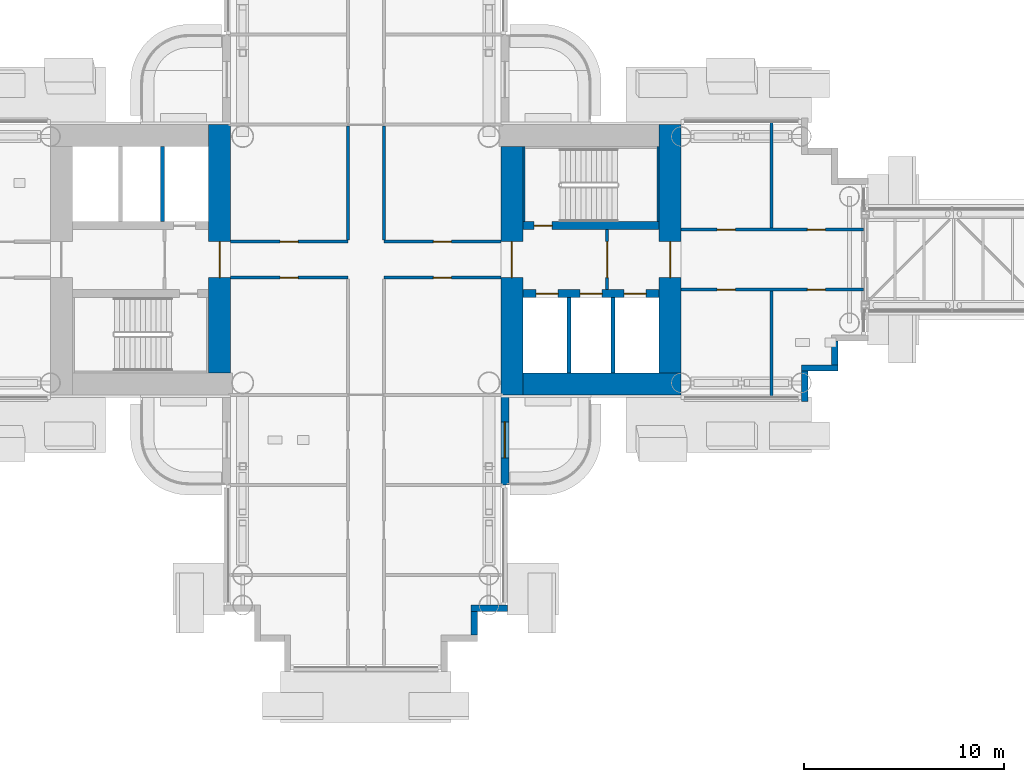
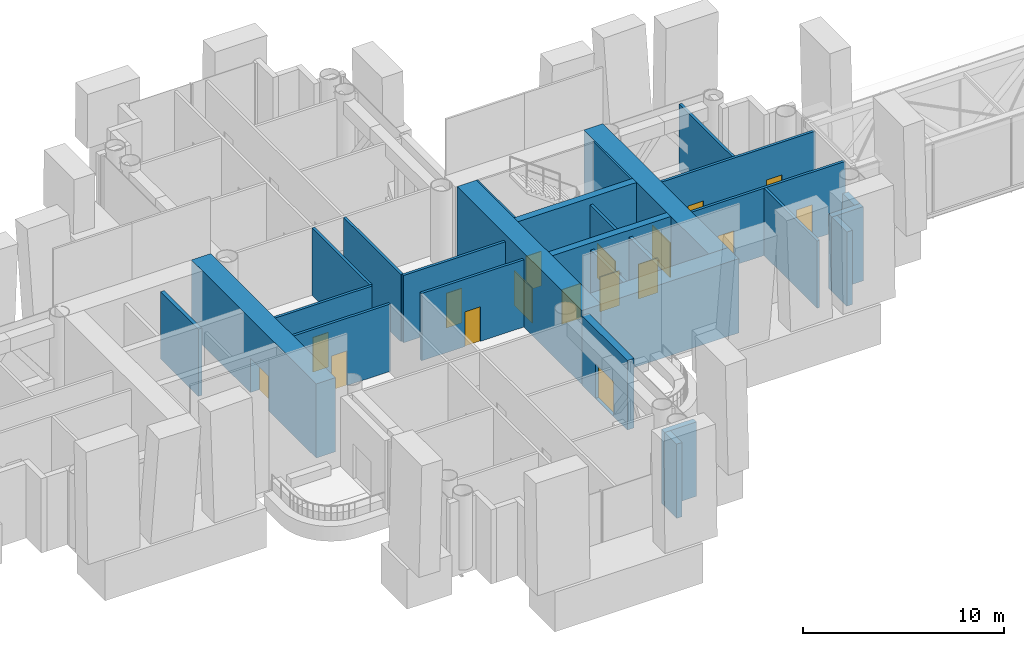
# One storey, part 14 of 27: 28 walls, 17 doors, 17 openings.
"""IFC4 building model written with IfcOpenShell, lengths in metres."""

from ifc_helpers import new_model, si_unit, direction, frame, frame_2d, origin, place, context, subcontext, project, spatial, rectangle, extrude, material, layer, layer_set, type_object, element, fill, save


model = new_model("IFC4")

# Units and contexts
model_context = context("Model", 3, precision=1e-05, world=origin(), true_north=direction((0.0, 1.0)))
body_context = subcontext(model_context, "Body", "Model", "MODEL_VIEW")
ifc_project = project(units=[si_unit("LENGTHUNIT", "METRE"), si_unit("AREAUNIT", "SQUARE_METRE"), si_unit("VOLUMEUNIT", "CUBIC_METRE"), si_unit("PLANEANGLEUNIT", "RADIAN"), si_unit("MASSUNIT", "GRAM", prefix="KILO")], contexts=[model_context])

# Site, building, storey
site_placement = place(None, origin())
site = spatial("IfcSite", under=ifc_project, at=site_placement, CompositionType="ELEMENT")
building_placement = place(site_placement, origin())
building = spatial("IfcBuilding", under=site, at=building_placement, Name="Ipe Terrace Towers", CompositionType="ELEMENT")
storey_placement = place(building_placement, frame((0.0, 0.0, 72.10009765625)))
storey = spatial("IfcBuildingStorey", under=building, at=storey_placement, Name="L19", CompositionType="ELEMENT", Elevation=72.10009765625)

# Wall, opening, door
ifc_material_1 = material(Name="Concrete C40/50 with buff precast cladding", Category="concrete")
ifc_layer_1 = layer(ifc_material_1, 0.39990234375)
ifc_layer_set_1 = layer_set([ifc_layer_1], Name="BALCONY BAY WALL 400")
wall_type_1 = type_object("IfcWallType", Name="BALCONY BAY WALL 400", PredefinedType="STANDARD", material=ifc_layer_set_1)
wall_1_placement = place(storey_placement, frame((-29.050048828125, -11.25, -0.02001953125), z_axis=(0.0, 0.0, 1.0), x_axis=(0.0, 1.0, 0.0)))
wall_1 = element("IfcWall", 1, at=wall_1_placement, inside=storey, type_object=wall_type_1, Name="T1-W-L19-18a wall", PredefinedType="STANDARD", context=body_context, shape_type="SweptSolid", body=[
    extrude(rectangle(XDim=4.5, YDim=0.39990234375, at=frame_2d((2.25, 0.0))), origin(), (0.0, 0.0, 1.0), 4.219970703125),
])
opening_1_placement = place(wall_1_placement, frame((1.35009765625, 0.0, 0.02001953125)))
opening_1 = element("IfcOpeningElement", 2, at=opening_1_placement, cuts=wall_1, Name="Opening T1-D-L19-18", PredefinedType="OPENING", context=body_context, shape_type="SweptSolid", body=[
    extrude(rectangle(XDim=1.800048828125, YDim=2.10009765625, at=frame_2d((0.89990234375, 1.050048828125))), frame((0.0, 0.2099609375, 0.0), z_axis=(0.0, -1.0, 0.0), x_axis=(1.0, 0.0, 0.0)), (0.0, 0.0, 1.0), 0.419921875),
])
ifc_material_2 = material(Name="Aluminium alloy 6063-T6 framed glazed door", Category="aluminium")
door_type_1 = type_object("IfcDoorType", Name="BALCONY DOOR 1800 x 2100 LEFT", OperationType="SINGLE_SWING_LEFT", PredefinedType="DOOR", material=ifc_material_2)
door_1_placement = place(opening_1_placement, origin())
door_1 = element("IfcDoor", 3, at=door_1_placement, inside=storey, type_object=door_type_1, Name="DB1 door", OperationType="SINGLE_SWING_LEFT", OverallHeight=2.10009765625, OverallWidth=1.800048828125, PredefinedType="DOOR", context=body_context, shape_type="SweptSolid", body=[
    extrude(rectangle(XDim=1.800048828125, YDim=2.10009765625, at=frame_2d((0.89990234375, 1.050048828125))), frame((0.0, 0.02490234375, 0.0), z_axis=(0.0, -1.0, 0.0), x_axis=(1.0, 0.0, 0.0)), (0.0, 0.0, 1.0), 0.050048828125),
])
fill(opening_1, door_1)

# Walls
ifc_material_3 = material(Name="Concrete C40/50 with buff precast cladding", Category="concrete")
ifc_layer_2 = layer(ifc_material_3, 0.320068359375)
ifc_layer_set_2 = layer_set([ifc_layer_2], Name="BUFF CLADDING WALL 320")
wall_type_2 = type_object("IfcWallType", Name="BUFF CLADDING WALL 320", PredefinedType="STANDARD", material=ifc_layer_set_2)
wall_2_placement = place(storey_placement, frame((-30.590087890625, -18.75, -0.300048828125), z_axis=(0.0, 0.0, 1.0), x_axis=(0.0, 1.0, 0.0)))
element("IfcWall", 4, at=wall_2_placement, inside=storey, type_object=wall_type_2, Name="T1-W-L19-15a wall", PredefinedType="STANDARD", context=body_context, shape_type="SweptSolid", body=[
    extrude(rectangle(XDim=1.179931640625, YDim=0.320068359375, at=frame_2d((0.58984375, 0.0))), origin(), (0.0, 0.0, 1.0), 4.5),
])
wall_3_placement = place(storey_placement, frame((-30.75, -17.409912109375, -0.300048828125), z_axis=(0.0, 0.0, 1.0), x_axis=(1.0, 0.0, 0.0)))
element("IfcWall", 5, at=wall_3_placement, inside=storey, type_object=wall_type_2, Name="T1-W-L19-16a wall", PredefinedType="STANDARD", context=body_context, shape_type="SweptSolid", body=[
    extrude(rectangle(XDim=1.820068359375, YDim=0.320068359375, at=frame_2d((0.91015625, 0.0))), origin(), (0.0, 0.0, 1.0), 4.5),
])
wall_4_placement = place(storey_placement, frame((-14.090087890625, -7.070068359375, -0.300048828125), z_axis=(0.0, 0.0, 1.0), x_axis=(0.0, 1.0, 0.0)))
element("IfcWall", 6, at=wall_4_placement, inside=storey, type_object=wall_type_2, Name="T1-W-L19-21a wall", PredefinedType="STANDARD", context=body_context, shape_type="SweptSolid", body=[
    extrude(rectangle(XDim=1.5, YDim=0.320068359375, at=frame_2d((0.75, 0.0))), origin(), (0.0, 0.0, 1.0), 4.5),
])
wall_5_placement = place(storey_placement, frame((-14.25, -5.409912109375, -0.300048828125), z_axis=(0.0, 0.0, 1.0), x_axis=(1.0, 0.0, 0.0)))
element("IfcWall", 7, at=wall_5_placement, inside=storey, type_object=wall_type_2, Name="T1-W-L19-22a wall", PredefinedType="STANDARD", context=body_context, shape_type="SweptSolid", body=[
    extrude(rectangle(XDim=1.820068359375, YDim=0.320068359375, at=frame_2d((0.91015625, 0.0))), origin(), (0.0, 0.0, 1.0), 4.5),
])
wall_6_placement = place(storey_placement, frame((-12.590087890625, -5.25, -0.300048828125), z_axis=(0.0, 0.0, 1.0), x_axis=(0.0, 1.0, 0.0)))
element("IfcWall", 8, at=wall_6_placement, inside=storey, type_object=wall_type_2, Name="T1-W-L19-23a wall", PredefinedType="STANDARD", context=body_context, shape_type="SweptSolid", body=[
    extrude(rectangle(XDim=1.179931640625, YDim=0.320068359375, at=frame_2d((0.58984375, 0.0))), origin(), (0.0, 0.0, 1.0), 4.5),
])

# Wall, opening, door
ifc_material_4 = material(Name="Gypsum board partition", Category="plasterboard")
ifc_layer_3 = layer(ifc_material_4, 0.14990234375)
ifc_layer_set_3 = layer_set([ifc_layer_3], Name="Gypsum board partition 150 mm")
wall_type_3 = type_object("IfcWallType", Name="Gypsum board partition 150 mm", PredefinedType="PARTITIONING", material=ifc_layer_set_3)
wall_7_placement = place(storey_placement, frame((-23.949951171875, -1.5, 0.0), z_axis=(0.0, 0.0, 1.0), x_axis=(0.0, 1.0, 0.0)))
wall_7 = element("IfcWall", 9, at=wall_7_placement, inside=storey, type_object=wall_type_3, Name="Gypsum board partition T1 L19 t1c1-lobby-wall", PredefinedType="PARTITIONING", context=body_context, shape_type="SweptSolid", body=[
    extrude(rectangle(XDim=3.0, YDim=0.14990234375, at=frame_2d((1.5, 0.0))), origin(), (0.0, 0.0, 1.0), 4.079833984375),
])
opening_2_placement = place(wall_7_placement, frame((0.60009765625, 0.0, 0.0)))
opening_2 = element("IfcOpeningElement", 10, at=opening_2_placement, cuts=wall_7, Name="Opening T1C1-VD", PredefinedType="OPENING", context=body_context, shape_type="SweptSolid", body=[
    extrude(rectangle(XDim=1.800048828125, YDim=2.10009765625, at=frame_2d((0.89990234375, 1.050048828125))), frame((0.0, 0.0849609375, 0.0), z_axis=(0.0, -1.0, 0.0), x_axis=(1.0, 0.0, 0.0)), (0.0, 0.0, 1.0), 0.169921875),
])
ifc_material_5 = material(Name="Fire-rated timber door leaf", Category="wood")
door_type_2 = type_object("IfcDoorType", Name="Lobby door 1800 x 2100 FD60", OperationType="NOTDEFINED", PredefinedType="DOOR", material=ifc_material_5)
door_2_placement = place(opening_2_placement, origin())
door_2 = element("IfcDoor", 11, at=door_2_placement, inside=storey, type_object=door_type_2, Name="Lobby door T1C1-VD", OperationType="SINGLE_SWING_LEFT", OverallHeight=2.10009765625, OverallWidth=1.800048828125, PredefinedType="DOOR", context=body_context, shape_type="SweptSolid", body=[
    extrude(rectangle(XDim=1.800048828125, YDim=2.10009765625, at=frame_2d((0.89990234375, 1.050048828125))), frame((0.0, 0.02490234375, 0.0), z_axis=(0.0, -1.0, 0.0), x_axis=(1.0, 0.0, 0.0)), (0.0, 0.0, 1.0), 0.050048828125),
])
fill(opening_2, door_2)

wall_8_placement = place(storey_placement, frame((-35.10009765625, 0.89990234375, 0.0), z_axis=(0.0, 0.0, 1.0), x_axis=(1.0, 0.0, 0.0)))
wall_8 = element("IfcWall", 12, at=wall_8_placement, inside=storey, type_object=wall_type_3, Name="Gypsum board partition T1 L19 sp-hub-qen-x", PredefinedType="PARTITIONING", context=body_context, shape_type="SweptSolid", body=[
    extrude(rectangle(XDim=5.85009765625, YDim=0.14990234375, at=frame_2d((2.925048828125, 0.0))), origin(), (0.0, 0.0, 1.0), 4.079833984375),
])
opening_3_placement = place(wall_8_placement, frame((2.47509765625, 0.0, 0.0)))
opening_3 = element("IfcOpeningElement", 13, at=opening_3_placement, cuts=wall_8, Name="Opening T1-SP-HEN", PredefinedType="OPENING", context=body_context, shape_type="SweptSolid", body=[
    extrude(rectangle(XDim=0.89990234375, YDim=2.10009765625, at=frame_2d((0.449951171875, 1.050048828125))), frame((0.0, 0.0849609375, 0.0), z_axis=(0.0, -1.0, 0.0), x_axis=(1.0, 0.0, 0.0)), (0.0, 0.0, 1.0), 0.169921875),
])
ifc_material_6 = material(Name="Fire-rated timber door leaf", Category="wood")
door_type_3 = type_object("IfcDoorType", Name="Lounge door 900 x 2100 FD30S", OperationType="NOTDEFINED", PredefinedType="DOOR", material=ifc_material_6)
door_3_placement = place(opening_3_placement, origin())
door_3 = element("IfcDoor", 14, at=door_3_placement, inside=storey, type_object=door_type_3, Name="Lounge door T1-SP-HEN", OperationType="SINGLE_SWING_LEFT", OverallHeight=2.10009765625, OverallWidth=0.89990234375, PredefinedType="DOOR", context=body_context, shape_type="SweptSolid", body=[
    extrude(rectangle(XDim=0.89990234375, YDim=2.10009765625, at=frame_2d((0.449951171875, 1.050048828125))), frame((0.0, 0.02490234375, 0.0), z_axis=(0.0, -1.0, 0.0), x_axis=(1.0, 0.0, 0.0)), (0.0, 0.0, 1.0), 0.050048828125),
])
fill(opening_3, door_3)

# Wall
wall_9_placement = place(storey_placement, frame((-35.10009765625, 0.97509765625, 0.0), z_axis=(0.0, 0.0, 1.0), x_axis=(0.0, 1.0, 0.0)))
element("IfcWall", 15, at=wall_9_placement, inside=storey, type_object=wall_type_3, Name="Gypsum board partition T1 L19 sp-hub-qen-y", PredefinedType="PARTITIONING", context=body_context, shape_type="SweptSolid", body=[
    extrude(rectangle(XDim=5.699951171875, YDim=0.14990234375, at=frame_2d((2.85009765625, 0.0))), origin(), (0.0, 0.0, 1.0), 4.079833984375),
])

# Wall, opening, door
wall_10_placement = place(storey_placement, frame((-35.10009765625, -0.89990234375, 0.0), z_axis=(0.0, 0.0, 1.0), x_axis=(1.0, 0.0, 0.0)))
wall_10 = element("IfcWall", 16, at=wall_10_placement, inside=storey, type_object=wall_type_3, Name="Gypsum board partition T1 L19 sp-hub-qes-x", PredefinedType="PARTITIONING", context=body_context, shape_type="SweptSolid", body=[
    extrude(rectangle(XDim=5.85009765625, YDim=0.14990234375, at=frame_2d((2.925048828125, 0.0))), origin(), (0.0, 0.0, 1.0), 4.079833984375),
])
opening_4_placement = place(wall_10_placement, frame((2.47509765625, 0.0, 0.0)))
opening_4 = element("IfcOpeningElement", 17, at=opening_4_placement, cuts=wall_10, Name="Opening T1-SP-HES", PredefinedType="OPENING", context=body_context, shape_type="SweptSolid", body=[
    extrude(rectangle(XDim=0.89990234375, YDim=2.10009765625, at=frame_2d((0.449951171875, 1.050048828125))), frame((0.0, 0.0849609375, 0.0), z_axis=(0.0, -1.0, 0.0), x_axis=(1.0, 0.0, 0.0)), (0.0, 0.0, 1.0), 0.169921875),
])
door_4_placement = place(opening_4_placement, origin())
door_4 = element("IfcDoor", 18, at=door_4_placement, inside=storey, type_object=door_type_3, Name="Lounge door T1-SP-HES", OperationType="SINGLE_SWING_RIGHT", OverallHeight=2.10009765625, OverallWidth=0.89990234375, PredefinedType="DOOR", context=body_context, shape_type="SweptSolid", body=[
    extrude(rectangle(XDim=0.89990234375, YDim=2.10009765625, at=frame_2d((0.449951171875, 1.050048828125))), frame((0.0, 0.02490234375, 0.0), z_axis=(0.0, -1.0, 0.0), x_axis=(1.0, 0.0, 0.0)), (0.0, 0.0, 1.0), 0.050048828125),
])
fill(opening_4, door_4)

wall_11_placement = place(storey_placement, frame((-42.75, 0.89990234375, 0.0), z_axis=(0.0, 0.0, 1.0), x_axis=(1.0, 0.0, 0.0)))
wall_11 = element("IfcWall", 19, at=wall_11_placement, inside=storey, type_object=wall_type_3, Name="Gypsum board partition T1 L19 sp-hub-qwn-x", PredefinedType="PARTITIONING", context=body_context, shape_type="SweptSolid", body=[
    extrude(rectangle(XDim=5.85009765625, YDim=0.14990234375, at=frame_2d((2.925048828125, 0.0))), origin(), (0.0, 0.0, 1.0), 4.079833984375),
])
opening_5_placement = place(wall_11_placement, frame((2.47509765625, 0.0, 0.0)))
opening_5 = element("IfcOpeningElement", 20, at=opening_5_placement, cuts=wall_11, Name="Opening T1-SP-HWN", PredefinedType="OPENING", context=body_context, shape_type="SweptSolid", body=[
    extrude(rectangle(XDim=0.89990234375, YDim=2.10009765625, at=frame_2d((0.449951171875, 1.050048828125))), frame((0.0, 0.0849609375, 0.0), z_axis=(0.0, -1.0, 0.0), x_axis=(1.0, 0.0, 0.0)), (0.0, 0.0, 1.0), 0.169921875),
])
door_5_placement = place(opening_5_placement, origin())
door_5 = element("IfcDoor", 21, at=door_5_placement, inside=storey, type_object=door_type_3, Name="Lounge door T1-SP-HWN", OperationType="SINGLE_SWING_LEFT", OverallHeight=2.10009765625, OverallWidth=0.89990234375, PredefinedType="DOOR", context=body_context, shape_type="SweptSolid", body=[
    extrude(rectangle(XDim=0.89990234375, YDim=2.10009765625, at=frame_2d((0.449951171875, 1.050048828125))), frame((0.0, 0.02490234375, 0.0), z_axis=(0.0, -1.0, 0.0), x_axis=(1.0, 0.0, 0.0)), (0.0, 0.0, 1.0), 0.050048828125),
])
fill(opening_5, door_5)

# Wall
wall_12_placement = place(storey_placement, frame((-36.89990234375, 0.97509765625, 0.0), z_axis=(0.0, 0.0, 1.0), x_axis=(0.0, 1.0, 0.0)))
element("IfcWall", 22, at=wall_12_placement, inside=storey, type_object=wall_type_3, Name="Gypsum board partition T1 L19 sp-hub-qwn-y", PredefinedType="PARTITIONING", context=body_context, shape_type="SweptSolid", body=[
    extrude(rectangle(XDim=5.699951171875, YDim=0.14990234375, at=frame_2d((2.85009765625, 0.0))), origin(), (0.0, 0.0, 1.0), 4.079833984375),
])

# Wall, opening, door
wall_13_placement = place(storey_placement, frame((-42.75, -0.89990234375, 0.0), z_axis=(0.0, 0.0, 1.0), x_axis=(1.0, 0.0, 0.0)))
wall_13 = element("IfcWall", 23, at=wall_13_placement, inside=storey, type_object=wall_type_3, Name="Gypsum board partition T1 L19 sp-hub-qws-x", PredefinedType="PARTITIONING", context=body_context, shape_type="SweptSolid", body=[
    extrude(rectangle(XDim=5.85009765625, YDim=0.14990234375, at=frame_2d((2.925048828125, 0.0))), origin(), (0.0, 0.0, 1.0), 4.079833984375),
])
opening_6_placement = place(wall_13_placement, frame((2.47509765625, 0.0, 0.0)))
opening_6 = element("IfcOpeningElement", 24, at=opening_6_placement, cuts=wall_13, Name="Opening T1-SP-HWS", PredefinedType="OPENING", context=body_context, shape_type="SweptSolid", body=[
    extrude(rectangle(XDim=0.89990234375, YDim=2.10009765625, at=frame_2d((0.449951171875, 1.050048828125))), frame((0.0, 0.0849609375, 0.0), z_axis=(0.0, -1.0, 0.0), x_axis=(1.0, 0.0, 0.0)), (0.0, 0.0, 1.0), 0.169921875),
])
door_6_placement = place(opening_6_placement, origin())
door_6 = element("IfcDoor", 25, at=door_6_placement, inside=storey, type_object=door_type_3, Name="Lounge door T1-SP-HWS", OperationType="SINGLE_SWING_RIGHT", OverallHeight=2.10009765625, OverallWidth=0.89990234375, PredefinedType="DOOR", context=body_context, shape_type="SweptSolid", body=[
    extrude(rectangle(XDim=0.89990234375, YDim=2.10009765625, at=frame_2d((0.449951171875, 1.050048828125))), frame((0.0, 0.02490234375, 0.0), z_axis=(0.0, -1.0, 0.0), x_axis=(1.0, 0.0, 0.0)), (0.0, 0.0, 1.0), 0.050048828125),
])
fill(opening_6, door_6)

# Wall, openings, doors
wall_14_placement = place(storey_placement, frame((-20.25, 1.5, 0.0), z_axis=(0.0, 0.0, 1.0), x_axis=(1.0, 0.0, 0.0)))
wall_14 = element("IfcWall", 26, at=wall_14_placement, inside=storey, type_object=wall_type_3, Name="Gypsum board partition T1 L19 sp-Lp-wp", PredefinedType="PARTITIONING", context=body_context, shape_type="SweptSolid", body=[
    extrude(rectangle(XDim=9.10009765625, YDim=0.14990234375, at=frame_2d((4.550048828125, 0.0))), origin(), (0.0, 0.0, 1.0), 4.079833984375),
])
opening_7_placement = place(wall_14_placement, frame((1.800048828125, 0.0, 0.0)))
opening_7 = element("IfcOpeningElement", 27, at=opening_7_placement, cuts=wall_14, Name="Opening T1-SP-PLp1", PredefinedType="OPENING", context=body_context, shape_type="SweptSolid", body=[
    extrude(rectangle(XDim=0.89990234375, YDim=2.10009765625, at=frame_2d((0.449951171875, 1.050048828125))), frame((0.0, 0.0849609375, 0.0), z_axis=(0.0, -1.0, 0.0), x_axis=(1.0, 0.0, 0.0)), (0.0, 0.0, 1.0), 0.169921875),
])
opening_8_placement = place(wall_14_placement, frame((6.300048828125, 0.0, 0.0)))
opening_8 = element("IfcOpeningElement", 28, at=opening_8_placement, cuts=wall_14, Name="Opening T1-SP-PLp2", PredefinedType="OPENING", context=body_context, shape_type="SweptSolid", body=[
    extrude(rectangle(XDim=0.89990234375, YDim=2.10009765625, at=frame_2d((0.449951171875, 1.050048828125))), frame((0.0, 0.0849609375, 0.0), z_axis=(0.0, -1.0, 0.0), x_axis=(1.0, 0.0, 0.0)), (0.0, 0.0, 1.0), 0.169921875),
])
door_7_placement = place(opening_7_placement, origin())
door_7 = element("IfcDoor", 29, at=door_7_placement, inside=storey, type_object=door_type_3, Name="Lounge door T1-SP-PLp1", OperationType="SINGLE_SWING_RIGHT", OverallHeight=2.10009765625, OverallWidth=0.89990234375, PredefinedType="DOOR", context=body_context, shape_type="SweptSolid", body=[
    extrude(rectangle(XDim=0.89990234375, YDim=2.10009765625, at=frame_2d((0.449951171875, 1.050048828125))), frame((0.0, 0.02490234375, 0.0), z_axis=(0.0, -1.0, 0.0), x_axis=(1.0, 0.0, 0.0)), (0.0, 0.0, 1.0), 0.050048828125),
])
fill(opening_7, door_7)
door_8_placement = place(opening_8_placement, origin())
door_8 = element("IfcDoor", 30, at=door_8_placement, inside=storey, type_object=door_type_3, Name="Lounge door T1-SP-PLp2", OperationType="SINGLE_SWING_LEFT", OverallHeight=2.10009765625, OverallWidth=0.89990234375, PredefinedType="DOOR", context=body_context, shape_type="SweptSolid", body=[
    extrude(rectangle(XDim=0.89990234375, YDim=2.10009765625, at=frame_2d((0.449951171875, 1.050048828125))), frame((0.0, 0.02490234375, 0.0), z_axis=(0.0, -1.0, 0.0), x_axis=(1.0, 0.0, 0.0)), (0.0, 0.0, 1.0), 0.050048828125),
])
fill(opening_8, door_8)

# Wall
wall_15_placement = place(storey_placement, frame((-15.75, 1.574951171875, 0.0), z_axis=(0.0, 0.0, 1.0), x_axis=(0.0, 1.0, 0.0)))
element("IfcWall", 31, at=wall_15_placement, inside=storey, type_object=wall_type_3, Name="Gypsum board partition T1 L19 sp-Lp-dp1", PredefinedType="PARTITIONING", context=body_context, shape_type="SweptSolid", body=[
    extrude(rectangle(XDim=5.275146484375, YDim=0.14990234375, at=frame_2d((2.6376953125, 0.0))), origin(), (0.0, 0.0, 1.0), 4.079833984375),
])

# Wall, openings, doors
wall_16_placement = place(storey_placement, frame((-20.25, -1.5, 0.0), z_axis=(0.0, 0.0, 1.0), x_axis=(1.0, 0.0, 0.0)))
wall_16 = element("IfcWall", 32, at=wall_16_placement, inside=storey, type_object=wall_type_3, Name="Gypsum board partition T1 L19 sp-Lp-wm", PredefinedType="PARTITIONING", context=body_context, shape_type="SweptSolid", body=[
    extrude(rectangle(XDim=9.10009765625, YDim=0.14990234375, at=frame_2d((4.550048828125, 0.0))), origin(), (0.0, 0.0, 1.0), 4.079833984375),
])
opening_9_placement = place(wall_16_placement, frame((1.800048828125, 0.0, 0.0)))
opening_9 = element("IfcOpeningElement", 33, at=opening_9_placement, cuts=wall_16, Name="Opening T1-SP-MLp1", PredefinedType="OPENING", context=body_context, shape_type="SweptSolid", body=[
    extrude(rectangle(XDim=0.89990234375, YDim=2.10009765625, at=frame_2d((0.449951171875, 1.050048828125))), frame((0.0, 0.0849609375, 0.0), z_axis=(0.0, -1.0, 0.0), x_axis=(1.0, 0.0, 0.0)), (0.0, 0.0, 1.0), 0.169921875),
])
opening_10_placement = place(wall_16_placement, frame((6.300048828125, 0.0, 0.0)))
opening_10 = element("IfcOpeningElement", 34, at=opening_10_placement, cuts=wall_16, Name="Opening T1-SP-MLp2", PredefinedType="OPENING", context=body_context, shape_type="SweptSolid", body=[
    extrude(rectangle(XDim=0.89990234375, YDim=2.10009765625, at=frame_2d((0.449951171875, 1.050048828125))), frame((0.0, 0.0849609375, 0.0), z_axis=(0.0, -1.0, 0.0), x_axis=(1.0, 0.0, 0.0)), (0.0, 0.0, 1.0), 0.169921875),
])
ifc_material_7 = material(Name="Timber door leaf", Category="wood")
door_type_4 = type_object("IfcDoorType", Name="Lounge door 900 x 2100", OperationType="NOTDEFINED", PredefinedType="DOOR", material=ifc_material_7)
door_9_placement = place(opening_10_placement, origin())
door_9 = element("IfcDoor", 35, at=door_9_placement, inside=storey, type_object=door_type_4, Name="Lounge door T1-SP-MLp2", OperationType="SINGLE_SWING_RIGHT", OverallHeight=2.10009765625, OverallWidth=0.89990234375, PredefinedType="DOOR", context=body_context, shape_type="SweptSolid", body=[
    extrude(rectangle(XDim=0.89990234375, YDim=2.10009765625, at=frame_2d((0.449951171875, 1.050048828125))), frame((0.0, 0.02490234375, 0.0), z_axis=(0.0, -1.0, 0.0), x_axis=(1.0, 0.0, 0.0)), (0.0, 0.0, 1.0), 0.050048828125),
])
fill(opening_10, door_9)
door_10_placement = place(opening_9_placement, origin())
door_10 = element("IfcDoor", 36, at=door_10_placement, inside=storey, type_object=door_type_3, Name="Lounge door T1-SP-MLp1", OperationType="SINGLE_SWING_LEFT", OverallHeight=2.10009765625, OverallWidth=0.89990234375, PredefinedType="DOOR", context=body_context, shape_type="SweptSolid", body=[
    extrude(rectangle(XDim=0.89990234375, YDim=2.10009765625, at=frame_2d((0.449951171875, 1.050048828125))), frame((0.0, 0.02490234375, 0.0), z_axis=(0.0, -1.0, 0.0), x_axis=(1.0, 0.0, 0.0)), (0.0, 0.0, 1.0), 0.050048828125),
])
fill(opening_9, door_10)

# Walls
wall_17_placement = place(storey_placement, frame((-15.75, -1.574951171875, 0.0), z_axis=(0.0, 0.0, 1.0), x_axis=(0.0, -1.0, 0.0)))
element("IfcWall", 37, at=wall_17_placement, inside=storey, type_object=wall_type_3, Name="Gypsum board partition T1 L19 sp-Lp-dm1", PredefinedType="PARTITIONING", context=body_context, shape_type="SweptSolid", body=[
    extrude(rectangle(XDim=5.275146484375, YDim=0.14990234375, at=frame_2d((2.6376953125, 0.0))), origin(), (0.0, 0.0, 1.0), 4.079833984375),
])
ifc_material_8 = material(Name="Gypsum board party wall", Category="plasterboard")
ifc_layer_4 = layer(ifc_material_8, 0.199951171875)
ifc_layer_set_4 = layer_set([ifc_layer_4], Name="Gypsum board party wall 200 mm")
wall_type_4 = type_object("IfcWallType", Name="Gypsum board party wall 200 mm", PredefinedType="SOLIDWALL", material=ifc_layer_set_4)
for number, where, z_axis, x_axis, name in (
    (38, (-25.85009765625, -5.64990234375, 0.0), (0.0, 0.0, 1.0), (0.0, 1.0, 0.0), "Gypsum board party wall T1 L19 t1c1-shaft-div1"),
    (39, (-23.64990234375, -5.64990234375, 0.0), (0.0, 0.0, 1.0), (0.0, 1.0, 0.0), "Gypsum board party wall T1 L19 t1c1-shaft-div2"),
    (40, (-46.14990234375, 5.64990234375, 0.0), (0.0, 0.0, 1.0), (0.0, -1.0, 0.0), "Gypsum board party wall T1 L19 t1c2-shaft-div1"),
):
    element("IfcWall", number, at=place(storey_placement, frame(where, z_axis=z_axis, x_axis=x_axis)), inside=storey, type_object=wall_type_4, Name=name, PredefinedType="SOLIDWALL", context=body_context, shape_type="SweptSolid", body=[
        extrude(rectangle(XDim=3.75, YDim=0.199951171875, at=frame_2d((1.875, 0.0))), origin(), (0.0, 0.0, 1.0), 4.079833984375),
    ])
ifc_material_9 = material(Name="Concrete C60/75", Category="concrete")
ifc_layer_5 = layer(ifc_material_9, 0.10009765625)
ifc_layer_set_5 = layer_set([ifc_layer_5], Name="RW100 CORE INFILL WALL 100 C60-75")
wall_type_5 = type_object("IfcWallType", Name="RW100 CORE INFILL WALL 100 C60-75", PredefinedType="SHEAR", material=ifc_layer_set_5)
for number, where, z_axis, x_axis, name in (
    (41, (-21.39990234375, 1.89990234375, 0.0), (0.0, 0.0, 1.0), (0.0, 1.0, 0.0), "Core infill wall T1-C1-far"),
    (42, (-28.10009765625, 1.89990234375, 0.0), (0.0, 0.0, 1.0), (0.0, 1.0, 0.0), "Core infill wall T1-C1-near"),
):
    element("IfcWall", number, at=place(storey_placement, frame(where, z_axis=z_axis, x_axis=x_axis)), inside=storey, type_object=wall_type_5, Name=name, PredefinedType="SHEAR", context=body_context, shape_type="SweptSolid", body=[
        extrude(rectangle(XDim=3.75, YDim=0.10009765625, at=frame_2d((1.875, 0.0))), origin(), (0.0, 0.0, 1.0), 4.5),
    ])
ifc_material_10 = material(Name="Concrete C60/75", Category="concrete")
ifc_layer_6 = layer(ifc_material_10, 1.10009765625)
ifc_layer_set_6 = layer_set([ifc_layer_6], Name="RW1100 CORE WALL 1100 C60-75")
wall_type_6 = type_object("IfcWallType", Name="RW1100 CORE WALL 1100 C60-75", PredefinedType="SHEAR", material=ifc_layer_set_6)
wall_18_placement = place(storey_placement, frame((-28.14990234375, -6.199951171875, 0.0), z_axis=(0.0, 0.0, 1.0), x_axis=(1.0, 0.0, 0.0)))
element("IfcWall", 43, at=wall_18_placement, inside=storey, type_object=wall_type_6, Name="Core wall T1-C1-Z1-W01", PredefinedType="SHEAR", context=body_context, shape_type="SweptSolid", body=[
    extrude(rectangle(XDim=7.89990234375, YDim=1.10009765625, at=frame_2d((3.949951171875, 0.0))), origin(), (0.0, 0.0, 1.0), 4.5),
])

# Wall, opening, door
wall_19_placement = place(storey_placement, frame((-20.800048828125, -5.64990234375, 0.0), z_axis=(0.0, 0.0, 1.0), x_axis=(0.0, 1.0, 0.0)))
wall_19 = element("IfcWall", 44, at=wall_19_placement, inside=storey, type_object=wall_type_6, Name="Core wall T1-C1-Z1-W02", PredefinedType="SHEAR", context=body_context, shape_type="SweptSolid", body=[
    extrude(rectangle(XDim=12.39990234375, YDim=1.10009765625, at=frame_2d((6.199951171875, 0.0))), origin(), (0.0, 0.0, 1.0), 4.5),
])
opening_11_placement = place(wall_19_placement, frame((4.75, 0.0, 0.0)))
opening_11 = element("IfcOpeningElement", 45, at=opening_11_placement, cuts=wall_19, Name="Opening T1C1-FD", PredefinedType="OPENING", context=body_context, shape_type="SweptSolid", body=[
    extrude(rectangle(XDim=1.800048828125, YDim=2.10009765625, at=frame_2d((0.89990234375, 1.050048828125))), frame((0.0, 0.56005859375, 0.0), z_axis=(0.0, -1.0, 0.0), x_axis=(1.0, 0.0, 0.0)), (0.0, 0.0, 1.0), 1.1201171875),
])
ifc_material_11 = material(Name="Fire-rated timber door leaf", Category="wood")
door_type_5 = type_object("IfcDoorType", Name="Fire door 1800 x 2100 FD30S", OperationType="NOTDEFINED", PredefinedType="DOOR", material=ifc_material_11)
door_11_placement = place(opening_11_placement, origin())
door_11 = element("IfcDoor", 46, at=door_11_placement, inside=storey, type_object=door_type_5, Name="Fire door T1C1-FD", OperationType="SINGLE_SWING_LEFT", OverallHeight=2.10009765625, OverallWidth=1.800048828125, PredefinedType="DOOR", context=body_context, shape_type="SweptSolid", body=[
    extrude(rectangle(XDim=1.800048828125, YDim=2.10009765625, at=frame_2d((0.89990234375, 1.050048828125))), frame((0.0, 0.02490234375, 0.0), z_axis=(0.0, -1.0, 0.0), x_axis=(1.0, 0.0, 0.0)), (0.0, 0.0, 1.0), 0.050048828125),
])
fill(opening_11, door_11)

wall_20_placement = place(storey_placement, frame((-28.699951171875, 5.64990234375, 0.0), z_axis=(0.0, 0.0, 1.0), x_axis=(0.0, -1.0, 0.0)))
wall_20 = element("IfcWall", 47, at=wall_20_placement, inside=storey, type_object=wall_type_6, Name="Core wall T1-C1-Z1-W04", PredefinedType="SHEAR", context=body_context, shape_type="SweptSolid", body=[
    extrude(rectangle(XDim=12.39990234375, YDim=1.10009765625, at=frame_2d((6.199951171875, 0.0))), origin(), (0.0, 0.0, 1.0), 4.5),
])
opening_12_placement = place(wall_20_placement, frame((4.75, 0.0, 0.0)))
opening_12 = element("IfcOpeningElement", 48, at=opening_12_placement, cuts=wall_20, Name="Opening T1C1-ND", PredefinedType="OPENING", context=body_context, shape_type="SweptSolid", body=[
    extrude(rectangle(XDim=1.800048828125, YDim=2.10009765625, at=frame_2d((0.89990234375, 1.050048828125))), frame((0.0, 0.56005859375, 0.0), z_axis=(0.0, -1.0, 0.0), x_axis=(1.0, 0.0, 0.0)), (0.0, 0.0, 1.0), 1.1201171875),
])
door_12_placement = place(opening_12_placement, origin())
door_12 = element("IfcDoor", 49, at=door_12_placement, inside=storey, type_object=door_type_5, Name="Fire door T1C1-ND", OperationType="SINGLE_SWING_LEFT", OverallHeight=2.10009765625, OverallWidth=1.800048828125, PredefinedType="DOOR", context=body_context, shape_type="SweptSolid", body=[
    extrude(rectangle(XDim=1.800048828125, YDim=2.10009765625, at=frame_2d((0.89990234375, 1.050048828125))), frame((0.0, 0.02490234375, 0.0), z_axis=(0.0, -1.0, 0.0), x_axis=(1.0, 0.0, 0.0)), (0.0, 0.0, 1.0), 0.050048828125),
])
fill(opening_12, door_12)

wall_21_placement = place(storey_placement, frame((-43.300048828125, -5.64990234375, 0.0), z_axis=(0.0, 0.0, 1.0), x_axis=(0.0, 1.0, 0.0)))
wall_21 = element("IfcWall", 50, at=wall_21_placement, inside=storey, type_object=wall_type_6, Name="Core wall T1-C2-Z1-W02", PredefinedType="SHEAR", context=body_context, shape_type="SweptSolid", body=[
    extrude(rectangle(XDim=12.39990234375, YDim=1.10009765625, at=frame_2d((6.199951171875, 0.0))), origin(), (0.0, 0.0, 1.0), 4.5),
])
opening_13_placement = place(wall_21_placement, frame((4.75, 0.0, 0.0)))
opening_13 = element("IfcOpeningElement", 51, at=opening_13_placement, cuts=wall_21, Name="Opening T1C2-ND", PredefinedType="OPENING", context=body_context, shape_type="SweptSolid", body=[
    extrude(rectangle(XDim=1.800048828125, YDim=2.10009765625, at=frame_2d((0.89990234375, 1.050048828125))), frame((0.0, 0.56005859375, 0.0), z_axis=(0.0, -1.0, 0.0), x_axis=(1.0, 0.0, 0.0)), (0.0, 0.0, 1.0), 1.1201171875),
])
door_13_placement = place(opening_13_placement, origin())
door_13 = element("IfcDoor", 52, at=door_13_placement, inside=storey, type_object=door_type_5, Name="Fire door T1C2-ND", OperationType="SINGLE_SWING_LEFT", OverallHeight=2.10009765625, OverallWidth=1.800048828125, PredefinedType="DOOR", context=body_context, shape_type="SweptSolid", body=[
    extrude(rectangle(XDim=1.800048828125, YDim=2.10009765625, at=frame_2d((0.89990234375, 1.050048828125))), frame((0.0, 0.02490234375, 0.0), z_axis=(0.0, -1.0, 0.0), x_axis=(1.0, 0.0, 0.0)), (0.0, 0.0, 1.0), 0.050048828125),
])
fill(opening_13, door_13)

# Wall, openings, doors
ifc_material_12 = material(Name="Concrete C60/75", Category="concrete")
ifc_layer_7 = layer(ifc_material_12, 0.39990234375)
ifc_layer_set_7 = layer_set([ifc_layer_7], Name="RW400 CORE SPINE WALL 400 C60-75")
wall_type_7 = type_object("IfcWallType", Name="RW400 CORE SPINE WALL 400 C60-75", PredefinedType="SHEAR", material=ifc_layer_set_7)
wall_22_placement = place(storey_placement, frame((-28.14990234375, -1.699951171875, 0.0), z_axis=(0.0, 0.0, 1.0), x_axis=(1.0, 0.0, 0.0)))
wall_22 = element("IfcWall", 53, at=wall_22_placement, inside=storey, type_object=wall_type_7, Name="Core spine wall T1-C1-Z1-SW1", PredefinedType="SHEAR", context=body_context, shape_type="SweptSolid", body=[
    extrude(rectangle(XDim=6.7998046875, YDim=0.39990234375, at=frame_2d((3.39990234375, 0.0))), origin(), (0.0, 0.0, 1.0), 4.5),
])
opening_14_placement = place(wall_22_placement, frame((0.64990234375, 0.0, 0.0)))
opening_14 = element("IfcOpeningElement", 54, at=opening_14_placement, cuts=wall_22, Name="Opening T1C1-LD1", PredefinedType="OPENING", context=body_context, shape_type="SweptSolid", body=[
    extrude(rectangle(XDim=1.10009765625, YDim=2.10009765625, at=frame_2d((0.550048828125, 1.050048828125))), frame((0.0, 0.2099609375, 0.0), z_axis=(0.0, -1.0, 0.0), x_axis=(1.0, 0.0, 0.0)), (0.0, 0.0, 1.0), 0.419921875),
])
opening_15_placement = place(wall_22_placement, frame((2.85009765625, 0.0, 0.0)))
opening_15 = element("IfcOpeningElement", 55, at=opening_15_placement, cuts=wall_22, Name="Opening T1C1-LD2", PredefinedType="OPENING", context=body_context, shape_type="SweptSolid", body=[
    extrude(rectangle(XDim=1.10009765625, YDim=2.10009765625, at=frame_2d((0.550048828125, 1.050048828125))), frame((0.0, 0.2099609375, 0.0), z_axis=(0.0, -1.0, 0.0), x_axis=(1.0, 0.0, 0.0)), (0.0, 0.0, 1.0), 0.419921875),
])
opening_16_placement = place(wall_22_placement, frame((5.050048828125, 0.0, 0.0)))
opening_16 = element("IfcOpeningElement", 56, at=opening_16_placement, cuts=wall_22, Name="Opening T1C1-LD3", PredefinedType="OPENING", context=body_context, shape_type="SweptSolid", body=[
    extrude(rectangle(XDim=1.10009765625, YDim=2.10009765625, at=frame_2d((0.550048828125, 1.050048828125))), frame((0.0, 0.2099609375, 0.0), z_axis=(0.0, -1.0, 0.0), x_axis=(1.0, 0.0, 0.0)), (0.0, 0.0, 1.0), 0.419921875),
])
ifc_material_13 = material(Name="Fire-rated timber door leaf", Category="wood")
door_type_6 = type_object("IfcDoorType", Name="Sliding door 1100 x 2100 FD60", OperationType="SLIDING_TO_LEFT", PredefinedType="DOOR", material=ifc_material_13)
door_14_placement = place(opening_14_placement, origin())
door_14 = element("IfcDoor", 57, at=door_14_placement, inside=storey, type_object=door_type_6, Name="Sliding door T1C1-LD1", OperationType="SLIDING_TO_LEFT", OverallHeight=2.10009765625, OverallWidth=1.10009765625, PredefinedType="DOOR", context=body_context, shape_type="SweptSolid", body=[
    extrude(rectangle(XDim=1.10009765625, YDim=2.10009765625, at=frame_2d((0.550048828125, 1.050048828125))), frame((0.0, 0.02490234375, 0.0), z_axis=(0.0, -1.0, 0.0), x_axis=(1.0, 0.0, 0.0)), (0.0, 0.0, 1.0), 0.050048828125),
])
fill(opening_14, door_14)
door_15_placement = place(opening_15_placement, origin())
door_15 = element("IfcDoor", 58, at=door_15_placement, inside=storey, type_object=door_type_6, Name="Sliding door T1C1-LD2", OperationType="SLIDING_TO_LEFT", OverallHeight=2.10009765625, OverallWidth=1.10009765625, PredefinedType="DOOR", context=body_context, shape_type="SweptSolid", body=[
    extrude(rectangle(XDim=1.10009765625, YDim=2.10009765625, at=frame_2d((0.550048828125, 1.050048828125))), frame((0.0, 0.02490234375, 0.0), z_axis=(0.0, -1.0, 0.0), x_axis=(1.0, 0.0, 0.0)), (0.0, 0.0, 1.0), 0.050048828125),
])
fill(opening_15, door_15)
door_16_placement = place(opening_16_placement, origin())
door_16 = element("IfcDoor", 59, at=door_16_placement, inside=storey, type_object=door_type_6, Name="Sliding door T1C1-LD3", OperationType="SLIDING_TO_LEFT", OverallHeight=2.10009765625, OverallWidth=1.10009765625, PredefinedType="DOOR", context=body_context, shape_type="SweptSolid", body=[
    extrude(rectangle(XDim=1.10009765625, YDim=2.10009765625, at=frame_2d((0.550048828125, 1.050048828125))), frame((0.0, 0.02490234375, 0.0), z_axis=(0.0, -1.0, 0.0), x_axis=(1.0, 0.0, 0.0)), (0.0, 0.0, 1.0), 0.050048828125),
])
fill(opening_16, door_16)

# Wall, opening, door
wall_23_placement = place(storey_placement, frame((-28.14990234375, 1.699951171875, 0.0), z_axis=(0.0, 0.0, 1.0), x_axis=(1.0, 0.0, 0.0)))
wall_23 = element("IfcWall", 60, at=wall_23_placement, inside=storey, type_object=wall_type_7, Name="Core spine wall T1-C1-Z1-SW2", PredefinedType="SHEAR", context=body_context, shape_type="SweptSolid", body=[
    extrude(rectangle(XDim=6.7998046875, YDim=0.39990234375, at=frame_2d((3.39990234375, 0.0))), origin(), (0.0, 0.0, 1.0), 4.5),
])
opening_17_placement = place(wall_23_placement, frame((0.550048828125, 0.0, 0.0)))
opening_17 = element("IfcOpeningElement", 61, at=opening_17_placement, cuts=wall_23, Name="Opening T1C1-SD", PredefinedType="OPENING", context=body_context, shape_type="SweptSolid", body=[
    extrude(rectangle(XDim=0.89990234375, YDim=2.10009765625, at=frame_2d((0.449951171875, 1.050048828125))), frame((0.0, 0.2099609375, 0.0), z_axis=(0.0, -1.0, 0.0), x_axis=(1.0, 0.0, 0.0)), (0.0, 0.0, 1.0), 0.419921875),
])
ifc_material_14 = material(Name="Fire-rated timber door leaf", Category="wood")
door_type_7 = type_object("IfcDoorType", Name="Stair door 900 x 2100 FD60", OperationType="NOTDEFINED", PredefinedType="DOOR", material=ifc_material_14)
door_17_placement = place(opening_17_placement, origin())
door_17 = element("IfcDoor", 62, at=door_17_placement, inside=storey, type_object=door_type_7, Name="Stair door T1C1-SD", OperationType="SINGLE_SWING_LEFT", OverallHeight=2.10009765625, OverallWidth=0.89990234375, PredefinedType="DOOR", context=body_context, shape_type="SweptSolid", body=[
    extrude(rectangle(XDim=0.89990234375, YDim=2.10009765625, at=frame_2d((0.449951171875, 1.050048828125))), frame((0.0, 0.02490234375, 0.0), z_axis=(0.0, -1.0, 0.0), x_axis=(1.0, 0.0, 0.0)), (0.0, 0.0, 1.0), 0.050048828125),
])
fill(opening_17, door_17)

save(model, "model.ifc")
